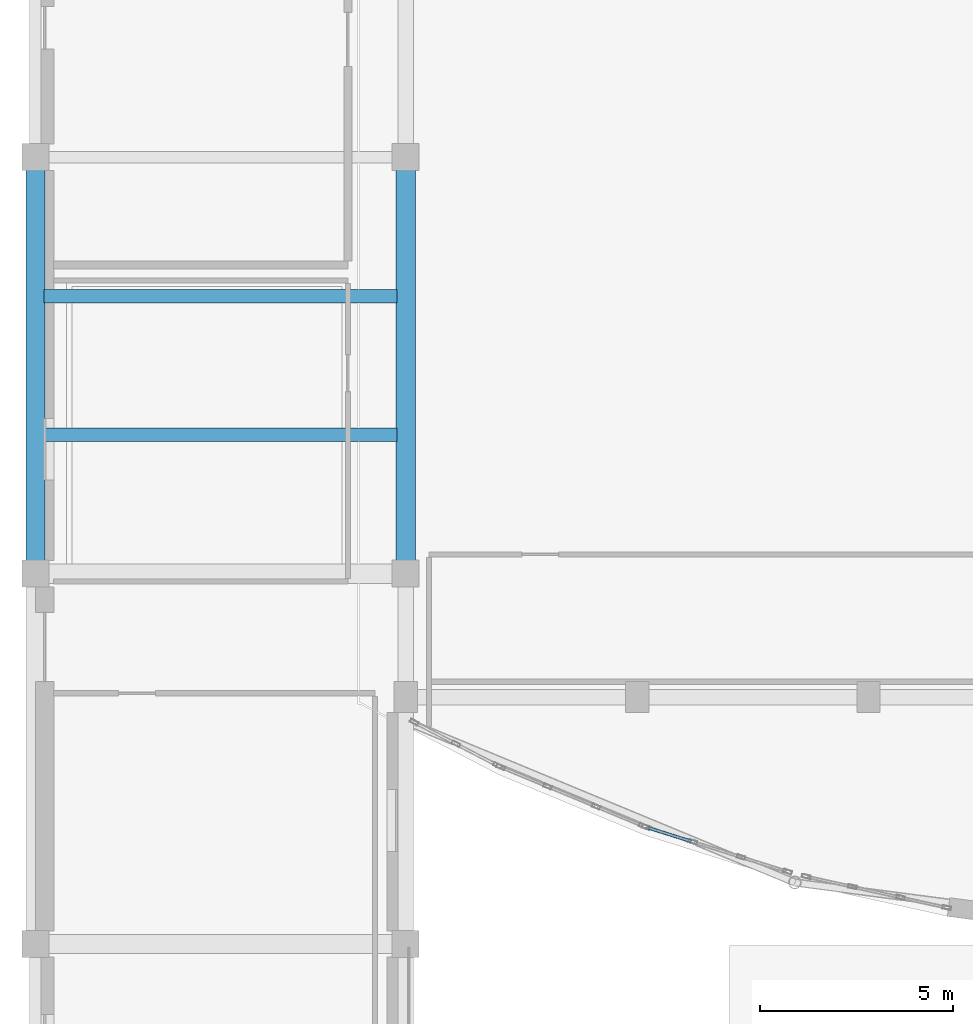
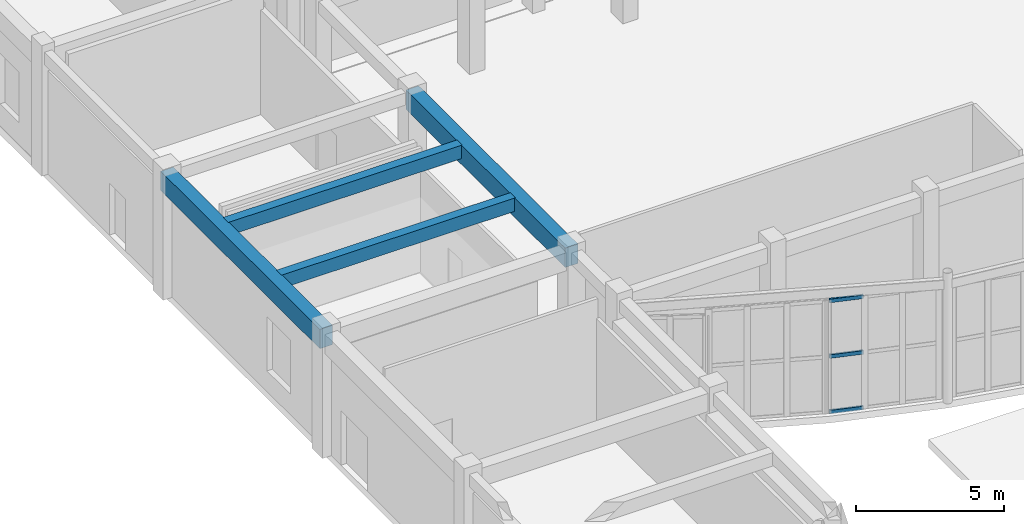
# One storey, part 10 of 98: 4 beams, 3 members, 1 element without a shape of its own.
"""IFC4 building model written with IfcOpenShell, lengths in metres."""

from ifc_helpers import new_model, si_unit, direction, frame, origin, origin_2d, place, context, subcontext, project, spatial, rectangle, hollow_rectangle, extrude, material, layer, layer_set, material_profile, profile_set, type_object, element, aggregate, save


model = new_model("IFC4")

# Units and contexts
model_context = context("Model", 3, precision=1e-05, world=origin(), true_north=direction((0.0, 1.0)))
body_context = subcontext(model_context, "Body", "Model", "MODEL_VIEW")
ifc_project = project(units=[si_unit("LENGTHUNIT", "METRE"), si_unit("AREAUNIT", "SQUARE_METRE"), si_unit("VOLUMEUNIT", "CUBIC_METRE"), si_unit("PLANEANGLEUNIT", "RADIAN"), si_unit("MASSUNIT", "GRAM", prefix="KILO")], contexts=[model_context])

# Site, building, storey
site_placement = place(None, origin())
site = spatial("IfcSite", under=ifc_project, at=site_placement, CompositionType="ELEMENT")
building_placement = place(site_placement, origin())
building = spatial("IfcBuilding", under=site, at=building_placement, Name="Tarnavel Promenade Courthouse", CompositionType="ELEMENT")
storey_placement = place(building_placement, origin())
storey = spatial("IfcBuildingStorey", under=building, at=storey_placement, Name="L01", CompositionType="ELEMENT", Elevation=0.0)

# Beams
ifc_material_1 = material(Name="Concrete C40/50", Category="concrete")
ifc_material_profile_1 = material_profile(ifc_material_1, rectangle(XDim=0.35009765625, YDim=0.550048828125, at=origin_2d()), Name="PT 350x550")
ifc_profile_set_1 = profile_set([ifc_material_profile_1], Name="Concrete C40/50")
beam_type_1 = type_object("IfcBeamType", Name="Concrete C40/50 BM-PT-350x550 (PT 350x550)", PredefinedType="JOIST", material=ifc_profile_set_1)
for number, where, z_axis, x_axis, name in (
    (1, (0.219970703125, 21.60009765625, 4.820068359375), (1.0, 0.0, 0.0), (0.0, 1.0, 0.0), "L01 Secondary Floor Rib 0904"),
    (2, (0.219970703125, 25.199951171875, 4.820068359375), (1.0, 0.0, 0.0), (0.0, 1.0, 0.0), "L01 Secondary Floor Rib 0905"),
):
    element("IfcBeam", number, at=place(storey_placement, frame(where, z_axis=z_axis, x_axis=x_axis)), inside=storey, type_object=beam_type_1, Name=name, PredefinedType="JOIST", context=body_context, shape_type="SweptSolid", body=[
        extrude(rectangle(XDim=0.35009765625, YDim=0.550048828125, at=origin_2d()), origin(), (0.0, 0.0, 1.0), 9.159912109375),
    ])
ifc_material_profile_2 = material_profile(ifc_material_1, rectangle(XDim=0.5, YDim=0.800048828125, at=origin_2d()), Name="PT 500x800")
ifc_profile_set_2 = profile_set([ifc_material_profile_2], Name="Concrete C40/50")
beam_type_2 = type_object("IfcBeamType", Name="Concrete C40/50 BM-PT-500x800 (PT 500x800)", PredefinedType="T_BEAM", material=ifc_profile_set_2)
for number, where, z_axis, x_axis, name in (
    (3, (0.0, 18.0, 4.695068359375), (0.0, 1.0, 0.0), (-1.0, 0.0, 0.0), "L01 Transverse Girder 0737"),
    (4, (9.60009765625, 18.0, 4.695068359375), (0.0, 1.0, 0.0), (-1.0, 0.0, 0.0), "L01 Transverse Girder 0749"),
):
    element("IfcBeam", number, at=place(storey_placement, frame(where, z_axis=z_axis, x_axis=x_axis)), inside=storey, type_object=beam_type_2, Name=name, PredefinedType="T_BEAM", context=body_context, shape_type="SweptSolid", body=[
        extrude(rectangle(XDim=0.5, YDim=0.800048828125, at=origin_2d()), origin(), (0.0, 0.0, 1.0), 10.800048828125),
    ])

# Curtain wall, members
ifc_material_2 = material(Name="Thermally Broken Anodised Aluminium Curtain Wall System", Category="aluminium")
ifc_layer = layer(ifc_material_2, 0.219970703125)
ifc_layer_set = layer_set([ifc_layer], Name="Thermally Broken Anodised Aluminium Curtain Wall System")
curtain_wall_type = type_object("IfcCurtainWallType", Name="Thermally Broken Aluminium Triple-Glazed Curtain Wall CW-DRUM", PredefinedType="NOTDEFINED", material=ifc_layer_set)
curtain_wall_placement = place(storey_placement, origin())
curtain_wall = element("IfcCurtainWall", 5, at=curtain_wall_placement, inside=storey, type_object=curtain_wall_type, Name="L01 Public Hall Drum Curtain Wall 003", PredefinedType="NOTDEFINED")
ifc_material_3 = material(Name="Thermally Broken Anodised Aluminium Frame", Category="aluminium")
ifc_material_profile_3 = material_profile(ifc_material_3, hollow_rectangle(XDim=0.080078125, YDim=0.159912109375, WallThickness=0.0048828125, InnerFilletRadius=0.0048828125, OuterFilletRadius=0.010009765625, at=origin_2d()), Name="CWT 160x80x5")
ifc_profile_set_3 = profile_set([ifc_material_profile_3], Name="Thermally Broken Anodised Aluminium Frame")
member_type = type_object("IfcMemberType", Name="Thermally Broken Anodised Aluminium CWT-145 (CWT 160x80x5)", PredefinedType="USERDEFINED", material=ifc_profile_set_3)
member_1_placement = place(storey_placement, frame((15.87939453125, 11.415283203125, 0.0400390625), z_axis=(0.953720467318, -0.300694646143, 0.0), x_axis=(0.300694646143, 0.953720467318, 0.0)))
member_1 = element("IfcMember", 6, at=member_1_placement, type_object=member_type, Name="CW-01 transom 1.1", ObjectType="TRANSOM", PredefinedType="USERDEFINED", context=body_context, shape_type="SweptSolid", body=[
    extrude(hollow_rectangle(XDim=0.080078125, YDim=0.159912109375, WallThickness=0.0048828125, InnerFilletRadius=0.0048828125, OuterFilletRadius=0.010009765625, at=origin_2d()), origin(), (0.0, 0.0, 1.0), 1.17724609375),
])
member_2_placement = place(storey_placement, frame((15.87939453125, 11.415283203125, 2.340087890625), z_axis=(0.953720467318, -0.300694646143, 0.0), x_axis=(0.300694646143, 0.953720467318, 0.0)))
member_2 = element("IfcMember", 7, at=member_2_placement, type_object=member_type, Name="CW-01 transom 1.2", ObjectType="TRANSOM", PredefinedType="USERDEFINED", context=body_context, shape_type="SweptSolid", body=[
    extrude(hollow_rectangle(XDim=0.080078125, YDim=0.159912109375, WallThickness=0.0048828125, InnerFilletRadius=0.0048828125, OuterFilletRadius=0.010009765625, at=origin_2d()), origin(), (0.0, 0.0, 1.0), 1.17724609375),
])
member_3_placement = place(storey_placement, frame((15.87939453125, 11.415283203125, 4.639892578125), z_axis=(0.953720467318, -0.300694646143, 0.0), x_axis=(0.300694646143, 0.953720467318, 0.0)))
member_3 = element("IfcMember", 8, at=member_3_placement, type_object=member_type, Name="CW-01 transom 1.3", ObjectType="TRANSOM", PredefinedType="USERDEFINED", context=body_context, shape_type="SweptSolid", body=[
    extrude(hollow_rectangle(XDim=0.080078125, YDim=0.159912109375, WallThickness=0.0048828125, InnerFilletRadius=0.0048828125, OuterFilletRadius=0.010009765625, at=origin_2d()), origin(), (0.0, 0.0, 1.0), 1.17724609375),
])
aggregate(curtain_wall, [member_1, member_2, member_3])

save(model, "model.ifc")
